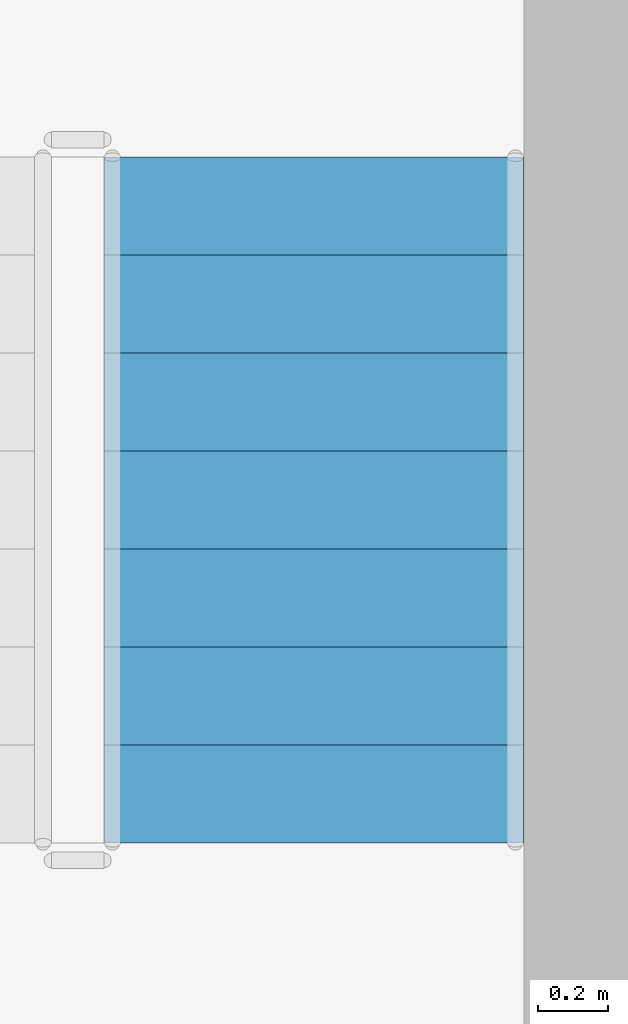
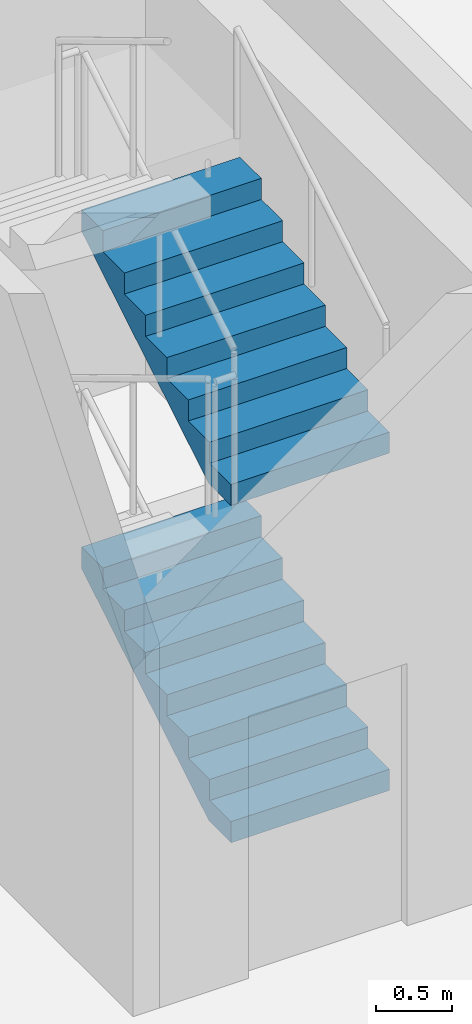
# One storey, part 66 of 101: 2 stair flights, 1 element without a shape of its own.
"""IFC4 building model written with IfcOpenShell, lengths in metres."""

from ifc_helpers import new_model, si_unit, direction, frame, origin, place, context, subcontext, project, spatial, triangles, material, type_object, element, aggregate, save


model = new_model("IFC4")

# Units and contexts
model_context = context("Model", 3, precision=1e-05, world=origin(), true_north=direction((0.0, 1.0)))
body_context = subcontext(model_context, "Body", "Model", "MODEL_VIEW")
ifc_project = project(units=[si_unit("LENGTHUNIT", "METRE"), si_unit("AREAUNIT", "SQUARE_METRE"), si_unit("VOLUMEUNIT", "CUBIC_METRE"), si_unit("PLANEANGLEUNIT", "RADIAN"), si_unit("MASSUNIT", "GRAM", prefix="KILO")], contexts=[model_context])

# Site, building, storey
site_placement = place(None, origin())
site = spatial("IfcSite", under=ifc_project, at=site_placement, CompositionType="ELEMENT")
building_placement = place(site_placement, origin())
building = spatial("IfcBuilding", under=site, at=building_placement, Name="Magnolia Steps Interchange", CompositionType="ELEMENT")
storey_placement = place(building_placement, frame((0.0, 0.0, -5.39990234375)))
storey = spatial("IfcBuildingStorey", under=building, at=storey_placement, Name="B1", CompositionType="ELEMENT", Elevation=-5.39990234375)

# Stair, stair flights
ifc_material_1 = material(Name="Concrete C40", Category="concrete")
stair_type = type_object("IfcStairType", Name="Exit stair 1200", PredefinedType="HALF_TURN_STAIR", material=ifc_material_1)
stair_placement = place(storey_placement, origin())
stair = element("IfcStair", 1, at=stair_placement, inside=storey, type_object=stair_type, Name="B1 Stair 22", PredefinedType="HALF_TURN_STAIR")
ifc_material_2 = material(Name="Concrete C40", Category="concrete")
stair_flight_type = type_object("IfcStairFlightType", Name="Exit stair flight", PredefinedType="STRAIGHT", material=ifc_material_2)
stair_flight_1_placement = place(storey_placement, frame((138.5, 38.699951171875, 0.0), z_axis=(0.0, 0.0, 1.0), x_axis=(0.0, 1.0, 0.0)))
stair_flight_1 = element("IfcStairFlight", 2, at=stair_flight_1_placement, type_object=stair_flight_type, Name="Stair 22 flight 1", NumberOfRisers=8, NumberOfTreads=7, PredefinedType="STRAIGHT", RiserHeight=0.16875, TreadLength=0.28, context=body_context, shape_type="Tessellation", body=[
    triangles([(0.0, -0.5999755859375, 0.0), (0.29052734375, -0.5999755859375, 0.0), (1.9599609375, -0.5999755859375, 1.00634765625), (1.9599609375, -0.5999755859375, 1.18115234375), (1.679931640625, -0.5999755859375, 1.18115234375), (1.679931640625, -0.5999755859375, 1.012451171875), (1.39990234375, -0.5999755859375, 1.012451171875), (1.39990234375, -0.5999755859375, 0.84375), (1.1201171875, -0.5999755859375, 0.84375), (1.1201171875, -0.5999755859375, 0.675048828125), (0.840087890625, -0.5999755859375, 0.675048828125), (0.840087890625, -0.5999755859375, 0.50634765625), (0.56005859375, -0.5999755859375, 0.50634765625), (0.56005859375, -0.5999755859375, 0.33740234375), (0.280029296875, -0.5999755859375, 0.33740234375), (0.280029296875, -0.5999755859375, 0.168701171875), (0.0, -0.5999755859375, 0.168701171875), (0.0, 0.5999755859375, 0.0), (0.29052734375, 0.5999755859375, 0.0), (1.9599609375, 0.5999755859375, 1.00634765625), (1.9599609375, 0.5999755859375, 1.18115234375), (1.679931640625, 0.5999755859375, 1.18115234375), (1.679931640625, 0.5999755859375, 1.012451171875), (1.39990234375, 0.5999755859375, 1.012451171875), (1.39990234375, 0.5999755859375, 0.84375), (1.1201171875, 0.5999755859375, 0.84375), (1.1201171875, 0.5999755859375, 0.675048828125), (0.840087890625, 0.5999755859375, 0.675048828125), (0.840087890625, 0.5999755859375, 0.50634765625), (0.56005859375, 0.5999755859375, 0.50634765625), (0.56005859375, 0.5999755859375, 0.33740234375), (0.280029296875, 0.5999755859375, 0.33740234375), (0.280029296875, 0.5999755859375, 0.168701171875), (0.0, 0.5999755859375, 0.168701171875), (0.0, 0.0, 0.0), (0.0, 0.0, 0.04217529296875), (0.0, 0.0, 0.0843505859375), (0.0, 0.0, 0.12652587890625), (0.0, 0.0, 0.168701171875), (0.0, -0.05, 0.0), (0.0, -0.05, 0.168701171875), (0.0, 0.05, 0.0), (0.0, 0.05, 0.168701171875), (0.046671549479166664, 0.0, 0.168701171875), (0.09334309895833333, 0.0, 0.168701171875), (0.1400146484375, 0.0, 0.168701171875), (0.18668619791666666, 0.0, 0.168701171875), (0.23335774739583334, 0.0, 0.168701171875), (0.280029296875, 0.0, 0.168701171875), (0.280029296875, -0.05, 0.168701171875), (0.280029296875, 0.05, 0.168701171875), (0.280029296875, 0.0, 0.21087646484375), (0.280029296875, 0.0, 0.2530517578125), (0.280029296875, 0.0, 0.29522705078125), (0.280029296875, 0.0, 0.33740234375), (0.280029296875, -0.05, 0.33740234375), (0.280029296875, 0.05, 0.33740234375), (0.3267008463541667, 0.0, 0.33740234375), (0.3733723958333333, 0.0, 0.33740234375), (0.4200439453125, 0.0, 0.33740234375), (0.46671549479166663, 0.0, 0.33740234375), (0.5133870442708334, 0.0, 0.33740234375), (0.56005859375, 0.0, 0.33740234375), (0.56005859375, -0.05, 0.33740234375), (0.56005859375, 0.05, 0.33740234375), (0.56005859375, 0.0, 0.379638671875), (0.56005859375, 0.0, 0.421875), (0.56005859375, 0.0, 0.464111328125), (0.56005859375, 0.0, 0.50634765625), (0.56005859375, -0.05, 0.50634765625), (0.56005859375, 0.05, 0.50634765625), (0.6067301432291666, 0.0, 0.50634765625), (0.6534016927083334, 0.0, 0.50634765625), (0.7000732421875, 0.0, 0.50634765625), (0.7467447916666666, 0.0, 0.50634765625), (0.7934163411458334, 0.0, 0.50634765625), (0.840087890625, 0.0, 0.50634765625), (0.840087890625, -0.05, 0.50634765625), (0.840087890625, 0.05, 0.50634765625), (0.840087890625, 0.0, 0.54852294921875), (0.840087890625, 0.0, 0.5906982421875), (0.840087890625, 0.0, 0.63287353515625), (0.840087890625, 0.0, 0.675048828125), (0.840087890625, -0.05, 0.675048828125), (0.840087890625, 0.05, 0.675048828125), (0.8867594401041666, 0.0, 0.675048828125), (0.9334309895833334, 0.0, 0.675048828125), (0.9801025390625, 0.0, 0.675048828125), (1.0267740885416667, 0.0, 0.675048828125), (1.0734456380208333, 0.0, 0.675048828125), (1.1201171875, 0.0, 0.675048828125), (1.1201171875, -0.05, 0.675048828125), (1.1201171875, 0.05, 0.675048828125), (1.1201171875, 0.0, 0.71722412109375), (1.1201171875, 0.0, 0.7593994140625), (1.1201171875, 0.0, 0.80157470703125), (1.1201171875, 0.0, 0.84375), (1.1201171875, -0.05, 0.84375), (1.1201171875, 0.05, 0.84375), (1.1900634765625, 0.0, 0.84375), (1.260009765625, 0.0, 0.84375), (1.3299560546875, 0.0, 0.84375), (1.39990234375, 0.0, 0.84375), (1.39990234375, -0.05, 0.84375), (1.39990234375, 0.05, 0.84375), (1.39990234375, 0.0, 0.88592529296875), (1.39990234375, 0.0, 0.9281005859375), (1.39990234375, 0.0, 0.97027587890625), (1.39990234375, 0.0, 1.012451171875), (1.39990234375, -0.05, 1.012451171875), (1.39990234375, 0.05, 1.012451171875), (1.4465738932291667, 0.0, 1.012451171875), (1.4932454427083333, 0.0, 1.012451171875), (1.5399169921875, 0.0, 1.012451171875), (1.5865885416666667, 0.0, 1.012451171875), (1.6332600911458333, 0.0, 1.012451171875), (1.679931640625, 0.0, 1.012451171875), (1.679931640625, -0.05, 1.012451171875), (1.679931640625, 0.05, 1.012451171875), (1.679931640625, 0.0, 1.05462646484375), (1.679931640625, 0.0, 1.0968017578125), (1.679931640625, 0.0, 1.13897705078125), (1.679931640625, 0.0, 1.18115234375), (1.679931640625, -0.05, 1.18115234375), (1.679931640625, 0.05, 1.18115234375), (1.7266031901041667, 0.0, 1.18115234375), (1.7732747395833333, 0.0, 1.18115234375), (1.8199462890625, 0.0, 1.18115234375), (1.8666178385416667, 0.0, 1.18115234375), (1.9132893880208333, 0.0, 1.18115234375), (1.9599609375, 0.0, 1.18115234375), (1.9599609375, -0.05, 1.18115234375), (1.9599609375, 0.05, 1.18115234375), (1.9599609375, 0.0, 1.137451171875), (1.9599609375, 0.0, 1.09375), (1.9599609375, 0.0, 1.050048828125), (1.9599609375, 0.0, 1.00634765625), (1.9599609375, -0.05, 1.00634765625), (1.9599609375, 0.05, 1.00634765625), (1.9003383091517858, 0.0, 0.9704066685267857), (1.8407156808035714, 0.0, 0.9344656808035714), (1.7810930524553572, 0.0, 0.8985246930803571), (1.7214704241071428, 0.0, 0.8625837053571428), (1.6618477957589286, 0.0, 0.8266427176339286), (1.6022251674107144, 0.0, 0.7907017299107143), (1.5426025390625, 0.0, 0.7547607421875), (1.4829799107142856, 0.0, 0.7188197544642857), (1.4233572823660714, 0.0, 0.6828787667410714), (1.3637346540178572, 0.0, 0.6469377790178572), (1.3041120256696428, 0.0, 0.6109967912946428), (1.2444893973214286, 0.0, 0.5750558035714286), (1.1848667689732144, 0.0, 0.5391148158482143), (1.125244140625, 0.0, 0.503173828125), (1.0656215122767856, 0.0, 0.4672328404017857), (1.0059988839285714, 0.0, 0.4312918526785714), (0.9463762555803572, 0.0, 0.3953508649553571), (0.8867536272321428, 0.0, 0.3594098772321429), (0.8271309988839286, 0.0, 0.3234688895089286), (0.7675083705357142, 0.0, 0.2875279017857143), (0.7078857421875, 0.0, 0.2515869140625), (0.6482631138392858, 0.0, 0.2156459263392857), (0.5886404854910714, 0.0, 0.1797049386160714), (0.5290178571428572, 0.0, 0.1437639508928571), (0.4693952287946428, 0.0, 0.1078229631696429), (0.4097726004464286, 0.0, 0.0718819754464286), (0.3501499720982142, 0.0, 0.0359409877232143), (0.29052734375, 0.0, 0.0), (0.29052734375, -0.05, 0.0), (0.29052734375, 0.05, 0.0), (0.24210611979166666, 0.0, 0.0), (0.19368489583333331, 0.0, 0.0), (0.145263671875, 0.0, 0.0), (0.09684244791666666, 0.0, 0.0), (0.04842122395833334, 0.0, 0.0)], [[1, 2, 3], [3, 4, 5], [3, 5, 6], [3, 6, 7], [3, 7, 8], [8, 9, 10], [3, 8, 10], [10, 11, 12], [3, 10, 12], [12, 13, 14], [3, 12, 14], [14, 15, 16], [3, 14, 16], [1, 3, 16], [16, 17, 1], [18, 20, 19], [20, 22, 21], [20, 23, 22], [20, 24, 23], [20, 25, 24], [25, 27, 26], [20, 27, 25], [27, 29, 28], [20, 29, 27], [29, 31, 30], [20, 31, 29], [31, 33, 32], [20, 33, 31], [18, 33, 20], [33, 18, 34], [1, 17, 41], [1, 41, 40], [40, 36, 35], [40, 37, 36], [40, 41, 37], [41, 38, 37], [41, 39, 38], [18, 43, 34], [18, 42, 43], [42, 35, 36], [42, 36, 37], [42, 37, 43], [43, 37, 38], [43, 38, 39], [17, 16, 50], [17, 50, 41], [41, 44, 39], [41, 45, 44], [41, 46, 45], [41, 50, 46], [50, 47, 46], [50, 48, 47], [50, 49, 48], [34, 51, 33], [34, 43, 51], [43, 39, 44], [43, 44, 45], [43, 45, 46], [43, 46, 51], [51, 46, 47], [51, 47, 48], [51, 48, 49], [16, 15, 56], [16, 56, 50], [50, 52, 49], [50, 53, 52], [50, 56, 53], [56, 54, 53], [56, 55, 54], [33, 57, 32], [33, 51, 57], [51, 49, 52], [51, 52, 53], [51, 53, 57], [57, 53, 54], [57, 54, 55], [15, 14, 64], [15, 64, 56], [56, 58, 55], [56, 59, 58], [56, 60, 59], [56, 64, 60], [64, 61, 60], [64, 62, 61], [64, 63, 62], [32, 65, 31], [32, 57, 65], [57, 55, 58], [57, 58, 59], [57, 59, 60], [57, 60, 65], [65, 60, 61], [65, 61, 62], [65, 62, 63], [14, 13, 70], [14, 70, 64], [64, 66, 63], [64, 67, 66], [64, 70, 67], [70, 68, 67], [70, 69, 68], [31, 71, 30], [31, 65, 71], [65, 63, 66], [65, 66, 67], [65, 67, 71], [71, 67, 68], [71, 68, 69], [13, 12, 78], [13, 78, 70], [70, 72, 69], [70, 73, 72], [70, 74, 73], [70, 78, 74], [78, 75, 74], [78, 76, 75], [78, 77, 76], [30, 79, 29], [30, 71, 79], [71, 69, 72], [71, 72, 73], [71, 73, 74], [71, 74, 79], [79, 74, 75], [79, 75, 76], [79, 76, 77], [12, 11, 84], [12, 84, 78], [78, 80, 77], [78, 81, 80], [78, 84, 81], [84, 82, 81], [84, 83, 82], [29, 85, 28], [29, 79, 85], [79, 77, 80], [79, 80, 81], [79, 81, 85], [85, 81, 82], [85, 82, 83], [11, 10, 92], [11, 92, 84], [84, 86, 83], [84, 87, 86], [84, 88, 87], [84, 92, 88], [92, 89, 88], [92, 90, 89], [92, 91, 90], [28, 93, 27], [28, 85, 93], [85, 83, 86], [85, 86, 87], [85, 87, 88], [85, 88, 93], [93, 88, 89], [93, 89, 90], [93, 90, 91], [10, 9, 98], [10, 98, 92], [92, 94, 91], [92, 95, 94], [92, 98, 95], [98, 96, 95], [98, 97, 96], [27, 99, 26], [27, 93, 99], [93, 91, 94], [93, 94, 95], [93, 95, 99], [99, 95, 96], [99, 96, 97], [9, 8, 104], [9, 104, 98], [98, 100, 97], [98, 101, 100], [98, 104, 101], [104, 102, 101], [104, 103, 102], [26, 105, 25], [26, 99, 105], [99, 97, 100], [99, 100, 101], [99, 101, 105], [105, 101, 102], [105, 102, 103], [8, 7, 110], [8, 110, 104], [104, 106, 103], [104, 107, 106], [104, 110, 107], [110, 108, 107], [110, 109, 108], [25, 111, 24], [25, 105, 111], [105, 103, 106], [105, 106, 107], [105, 107, 111], [111, 107, 108], [111, 108, 109], [7, 6, 118], [7, 118, 110], [110, 112, 109], [110, 113, 112], [110, 114, 113], [110, 118, 114], [118, 115, 114], [118, 116, 115], [118, 117, 116], [24, 119, 23], [24, 111, 119], [111, 109, 112], [111, 112, 113], [111, 113, 114], [111, 114, 119], [119, 114, 115], [119, 115, 116], [119, 116, 117], [6, 5, 124], [6, 124, 118], [118, 120, 117], [118, 121, 120], [118, 124, 121], [124, 122, 121], [124, 123, 122], [23, 125, 22], [23, 119, 125], [119, 117, 120], [119, 120, 121], [119, 121, 125], [125, 121, 122], [125, 122, 123], [5, 4, 132], [5, 132, 124], [124, 126, 123], [124, 127, 126], [124, 128, 127], [124, 132, 128], [132, 129, 128], [132, 130, 129], [132, 131, 130], [22, 133, 21], [22, 125, 133], [125, 123, 126], [125, 126, 127], [125, 127, 128], [125, 128, 133], [133, 128, 129], [133, 129, 130], [133, 130, 131], [4, 3, 138], [4, 138, 132], [132, 134, 131], [132, 135, 134], [132, 138, 135], [138, 136, 135], [138, 137, 136], [21, 139, 20], [21, 133, 139], [133, 131, 134], [133, 134, 135], [133, 135, 139], [139, 135, 136], [139, 136, 137], [3, 2, 168], [3, 168, 138], [138, 140, 137], [138, 141, 140], [138, 142, 141], [138, 143, 142], [138, 144, 143], [138, 145, 144], [138, 146, 145], [138, 147, 146], [138, 148, 147], [138, 149, 148], [138, 150, 149], [138, 151, 150], [138, 152, 151], [138, 153, 152], [138, 168, 153], [168, 154, 153], [168, 155, 154], [168, 156, 155], [168, 157, 156], [168, 158, 157], [168, 159, 158], [168, 160, 159], [168, 161, 160], [168, 162, 161], [168, 163, 162], [168, 164, 163], [168, 165, 164], [168, 166, 165], [168, 167, 166], [20, 169, 19], [20, 139, 169], [139, 137, 140], [139, 140, 141], [139, 141, 142], [139, 142, 143], [139, 143, 144], [139, 144, 145], [139, 145, 146], [139, 146, 147], [139, 147, 148], [139, 148, 149], [139, 149, 150], [139, 150, 151], [139, 151, 152], [139, 152, 153], [139, 153, 169], [169, 153, 154], [169, 154, 155], [169, 155, 156], [169, 156, 157], [169, 157, 158], [169, 158, 159], [169, 159, 160], [169, 160, 161], [169, 161, 162], [169, 162, 163], [169, 163, 164], [169, 164, 165], [169, 165, 166], [169, 166, 167], [2, 1, 40], [2, 40, 168], [168, 170, 167], [168, 171, 170], [168, 172, 171], [168, 40, 172], [40, 173, 172], [40, 174, 173], [40, 35, 174], [19, 42, 18], [19, 169, 42], [169, 167, 170], [169, 170, 171], [169, 171, 172], [169, 172, 42], [42, 172, 173], [42, 173, 174], [42, 174, 35]], closed=True),
])
stair_flight_2_placement = place(storey_placement, frame((138.5, 38.699951171875, 2.699951171875), z_axis=(0.0, 0.0, 1.0), x_axis=(0.0, 1.0, 0.0)))
stair_flight_2 = element("IfcStairFlight", 3, at=stair_flight_2_placement, type_object=stair_flight_type, Name="Stair 22 flight 3", NumberOfRisers=8, NumberOfTreads=7, PredefinedType="STRAIGHT", RiserHeight=0.16875, TreadLength=0.28, context=body_context, shape_type="Tessellation", body=[
    triangles([(0.0, -0.5999755859375, 0.0), (0.29052734375, -0.5999755859375, 0.0), (1.9599609375, -0.5999755859375, 1.00634765625), (1.9599609375, -0.5999755859375, 1.18115234375), (1.679931640625, -0.5999755859375, 1.18115234375), (1.679931640625, -0.5999755859375, 1.012451171875), (1.39990234375, -0.5999755859375, 1.012451171875), (1.39990234375, -0.5999755859375, 0.84375), (1.1201171875, -0.5999755859375, 0.84375), (1.1201171875, -0.5999755859375, 0.675048828125), (0.840087890625, -0.5999755859375, 0.675048828125), (0.840087890625, -0.5999755859375, 0.50634765625), (0.56005859375, -0.5999755859375, 0.50634765625), (0.56005859375, -0.5999755859375, 0.33740234375), (0.280029296875, -0.5999755859375, 0.33740234375), (0.280029296875, -0.5999755859375, 0.168701171875), (0.0, -0.5999755859375, 0.168701171875), (0.0, 0.5999755859375, 0.0), (0.29052734375, 0.5999755859375, 0.0), (1.9599609375, 0.5999755859375, 1.00634765625), (1.9599609375, 0.5999755859375, 1.18115234375), (1.679931640625, 0.5999755859375, 1.18115234375), (1.679931640625, 0.5999755859375, 1.012451171875), (1.39990234375, 0.5999755859375, 1.012451171875), (1.39990234375, 0.5999755859375, 0.84375), (1.1201171875, 0.5999755859375, 0.84375), (1.1201171875, 0.5999755859375, 0.675048828125), (0.840087890625, 0.5999755859375, 0.675048828125), (0.840087890625, 0.5999755859375, 0.50634765625), (0.56005859375, 0.5999755859375, 0.50634765625), (0.56005859375, 0.5999755859375, 0.33740234375), (0.280029296875, 0.5999755859375, 0.33740234375), (0.280029296875, 0.5999755859375, 0.168701171875), (0.0, 0.5999755859375, 0.168701171875), (0.0, 0.0, 0.0), (0.0, 0.0, 0.04217529296875), (0.0, 0.0, 0.0843505859375), (0.0, 0.0, 0.12652587890625), (0.0, 0.0, 0.168701171875), (0.0, -0.05, 0.0), (0.0, -0.05, 0.168701171875), (0.0, 0.05, 0.0), (0.0, 0.05, 0.168701171875), (0.046671549479166664, 0.0, 0.168701171875), (0.09334309895833333, 0.0, 0.168701171875), (0.1400146484375, 0.0, 0.168701171875), (0.18668619791666666, 0.0, 0.168701171875), (0.23335774739583334, 0.0, 0.168701171875), (0.280029296875, 0.0, 0.168701171875), (0.280029296875, -0.05, 0.168701171875), (0.280029296875, 0.05, 0.168701171875), (0.280029296875, 0.0, 0.21087646484375), (0.280029296875, 0.0, 0.2530517578125), (0.280029296875, 0.0, 0.29522705078125), (0.280029296875, 0.0, 0.33740234375), (0.280029296875, -0.05, 0.33740234375), (0.280029296875, 0.05, 0.33740234375), (0.3267008463541667, 0.0, 0.33740234375), (0.3733723958333333, 0.0, 0.33740234375), (0.4200439453125, 0.0, 0.33740234375), (0.46671549479166663, 0.0, 0.33740234375), (0.5133870442708334, 0.0, 0.33740234375), (0.56005859375, 0.0, 0.33740234375), (0.56005859375, -0.05, 0.33740234375), (0.56005859375, 0.05, 0.33740234375), (0.56005859375, 0.0, 0.379638671875), (0.56005859375, 0.0, 0.421875), (0.56005859375, 0.0, 0.464111328125), (0.56005859375, 0.0, 0.50634765625), (0.56005859375, -0.05, 0.50634765625), (0.56005859375, 0.05, 0.50634765625), (0.6067301432291666, 0.0, 0.50634765625), (0.6534016927083334, 0.0, 0.50634765625), (0.7000732421875, 0.0, 0.50634765625), (0.7467447916666666, 0.0, 0.50634765625), (0.7934163411458334, 0.0, 0.50634765625), (0.840087890625, 0.0, 0.50634765625), (0.840087890625, -0.05, 0.50634765625), (0.840087890625, 0.05, 0.50634765625), (0.840087890625, 0.0, 0.54852294921875), (0.840087890625, 0.0, 0.5906982421875), (0.840087890625, 0.0, 0.63287353515625), (0.840087890625, 0.0, 0.675048828125), (0.840087890625, -0.05, 0.675048828125), (0.840087890625, 0.05, 0.675048828125), (0.8867594401041666, 0.0, 0.675048828125), (0.9334309895833334, 0.0, 0.675048828125), (0.9801025390625, 0.0, 0.675048828125), (1.0267740885416667, 0.0, 0.675048828125), (1.0734456380208333, 0.0, 0.675048828125), (1.1201171875, 0.0, 0.675048828125), (1.1201171875, -0.05, 0.675048828125), (1.1201171875, 0.05, 0.675048828125), (1.1201171875, 0.0, 0.71722412109375), (1.1201171875, 0.0, 0.7593994140625), (1.1201171875, 0.0, 0.80157470703125), (1.1201171875, 0.0, 0.84375), (1.1201171875, -0.05, 0.84375), (1.1201171875, 0.05, 0.84375), (1.1900634765625, 0.0, 0.84375), (1.260009765625, 0.0, 0.84375), (1.3299560546875, 0.0, 0.84375), (1.39990234375, 0.0, 0.84375), (1.39990234375, -0.05, 0.84375), (1.39990234375, 0.05, 0.84375), (1.39990234375, 0.0, 0.88592529296875), (1.39990234375, 0.0, 0.9281005859375), (1.39990234375, 0.0, 0.97027587890625), (1.39990234375, 0.0, 1.012451171875), (1.39990234375, -0.05, 1.012451171875), (1.39990234375, 0.05, 1.012451171875), (1.4465738932291667, 0.0, 1.012451171875), (1.4932454427083333, 0.0, 1.012451171875), (1.5399169921875, 0.0, 1.012451171875), (1.5865885416666667, 0.0, 1.012451171875), (1.6332600911458333, 0.0, 1.012451171875), (1.679931640625, 0.0, 1.012451171875), (1.679931640625, -0.05, 1.012451171875), (1.679931640625, 0.05, 1.012451171875), (1.679931640625, 0.0, 1.05462646484375), (1.679931640625, 0.0, 1.0968017578125), (1.679931640625, 0.0, 1.13897705078125), (1.679931640625, 0.0, 1.18115234375), (1.679931640625, -0.05, 1.18115234375), (1.679931640625, 0.05, 1.18115234375), (1.7266031901041667, 0.0, 1.18115234375), (1.7732747395833333, 0.0, 1.18115234375), (1.8199462890625, 0.0, 1.18115234375), (1.8666178385416667, 0.0, 1.18115234375), (1.9132893880208333, 0.0, 1.18115234375), (1.9599609375, 0.0, 1.18115234375), (1.9599609375, -0.05, 1.18115234375), (1.9599609375, 0.05, 1.18115234375), (1.9599609375, 0.0, 1.137451171875), (1.9599609375, 0.0, 1.09375), (1.9599609375, 0.0, 1.050048828125), (1.9599609375, 0.0, 1.00634765625), (1.9599609375, -0.05, 1.00634765625), (1.9599609375, 0.05, 1.00634765625), (1.9003383091517858, 0.0, 0.9704066685267857), (1.8407156808035714, 0.0, 0.9344656808035714), (1.7810930524553572, 0.0, 0.8985246930803571), (1.7214704241071428, 0.0, 0.8625837053571428), (1.6618477957589286, 0.0, 0.8266427176339286), (1.6022251674107144, 0.0, 0.7907017299107143), (1.5426025390625, 0.0, 0.7547607421875), (1.4829799107142856, 0.0, 0.7188197544642857), (1.4233572823660714, 0.0, 0.6828787667410714), (1.3637346540178572, 0.0, 0.6469377790178572), (1.3041120256696428, 0.0, 0.6109967912946428), (1.2444893973214286, 0.0, 0.5750558035714286), (1.1848667689732144, 0.0, 0.5391148158482143), (1.125244140625, 0.0, 0.503173828125), (1.0656215122767856, 0.0, 0.4672328404017857), (1.0059988839285714, 0.0, 0.4312918526785714), (0.9463762555803572, 0.0, 0.3953508649553571), (0.8867536272321428, 0.0, 0.3594098772321429), (0.8271309988839286, 0.0, 0.3234688895089286), (0.7675083705357142, 0.0, 0.2875279017857143), (0.7078857421875, 0.0, 0.2515869140625), (0.6482631138392858, 0.0, 0.2156459263392857), (0.5886404854910714, 0.0, 0.1797049386160714), (0.5290178571428572, 0.0, 0.1437639508928571), (0.4693952287946428, 0.0, 0.1078229631696429), (0.4097726004464286, 0.0, 0.0718819754464286), (0.3501499720982142, 0.0, 0.0359409877232143), (0.29052734375, 0.0, 0.0), (0.29052734375, -0.05, 0.0), (0.29052734375, 0.05, 0.0), (0.24210611979166666, 0.0, 0.0), (0.19368489583333331, 0.0, 0.0), (0.145263671875, 0.0, 0.0), (0.09684244791666666, 0.0, 0.0), (0.04842122395833334, 0.0, 0.0)], [[1, 2, 3], [3, 4, 5], [3, 5, 6], [3, 6, 7], [3, 7, 8], [8, 9, 10], [3, 8, 10], [10, 11, 12], [3, 10, 12], [12, 13, 14], [3, 12, 14], [14, 15, 16], [3, 14, 16], [1, 3, 16], [16, 17, 1], [18, 20, 19], [20, 22, 21], [20, 23, 22], [20, 24, 23], [20, 25, 24], [25, 27, 26], [20, 27, 25], [27, 29, 28], [20, 29, 27], [29, 31, 30], [20, 31, 29], [31, 33, 32], [20, 33, 31], [18, 33, 20], [33, 18, 34], [1, 17, 41], [1, 41, 40], [40, 36, 35], [40, 37, 36], [40, 41, 37], [41, 38, 37], [41, 39, 38], [18, 43, 34], [18, 42, 43], [42, 35, 36], [42, 36, 37], [42, 37, 43], [43, 37, 38], [43, 38, 39], [17, 16, 50], [17, 50, 41], [41, 44, 39], [41, 45, 44], [41, 46, 45], [41, 50, 46], [50, 47, 46], [50, 48, 47], [50, 49, 48], [34, 51, 33], [34, 43, 51], [43, 39, 44], [43, 44, 45], [43, 45, 46], [43, 46, 51], [51, 46, 47], [51, 47, 48], [51, 48, 49], [16, 15, 56], [16, 56, 50], [50, 52, 49], [50, 53, 52], [50, 56, 53], [56, 54, 53], [56, 55, 54], [33, 57, 32], [33, 51, 57], [51, 49, 52], [51, 52, 53], [51, 53, 57], [57, 53, 54], [57, 54, 55], [15, 14, 64], [15, 64, 56], [56, 58, 55], [56, 59, 58], [56, 60, 59], [56, 64, 60], [64, 61, 60], [64, 62, 61], [64, 63, 62], [32, 65, 31], [32, 57, 65], [57, 55, 58], [57, 58, 59], [57, 59, 60], [57, 60, 65], [65, 60, 61], [65, 61, 62], [65, 62, 63], [14, 13, 70], [14, 70, 64], [64, 66, 63], [64, 67, 66], [64, 70, 67], [70, 68, 67], [70, 69, 68], [31, 71, 30], [31, 65, 71], [65, 63, 66], [65, 66, 67], [65, 67, 71], [71, 67, 68], [71, 68, 69], [13, 12, 78], [13, 78, 70], [70, 72, 69], [70, 73, 72], [70, 74, 73], [70, 78, 74], [78, 75, 74], [78, 76, 75], [78, 77, 76], [30, 79, 29], [30, 71, 79], [71, 69, 72], [71, 72, 73], [71, 73, 74], [71, 74, 79], [79, 74, 75], [79, 75, 76], [79, 76, 77], [12, 11, 84], [12, 84, 78], [78, 80, 77], [78, 81, 80], [78, 84, 81], [84, 82, 81], [84, 83, 82], [29, 85, 28], [29, 79, 85], [79, 77, 80], [79, 80, 81], [79, 81, 85], [85, 81, 82], [85, 82, 83], [11, 10, 92], [11, 92, 84], [84, 86, 83], [84, 87, 86], [84, 88, 87], [84, 92, 88], [92, 89, 88], [92, 90, 89], [92, 91, 90], [28, 93, 27], [28, 85, 93], [85, 83, 86], [85, 86, 87], [85, 87, 88], [85, 88, 93], [93, 88, 89], [93, 89, 90], [93, 90, 91], [10, 9, 98], [10, 98, 92], [92, 94, 91], [92, 95, 94], [92, 98, 95], [98, 96, 95], [98, 97, 96], [27, 99, 26], [27, 93, 99], [93, 91, 94], [93, 94, 95], [93, 95, 99], [99, 95, 96], [99, 96, 97], [9, 8, 104], [9, 104, 98], [98, 100, 97], [98, 101, 100], [98, 104, 101], [104, 102, 101], [104, 103, 102], [26, 105, 25], [26, 99, 105], [99, 97, 100], [99, 100, 101], [99, 101, 105], [105, 101, 102], [105, 102, 103], [8, 7, 110], [8, 110, 104], [104, 106, 103], [104, 107, 106], [104, 110, 107], [110, 108, 107], [110, 109, 108], [25, 111, 24], [25, 105, 111], [105, 103, 106], [105, 106, 107], [105, 107, 111], [111, 107, 108], [111, 108, 109], [7, 6, 118], [7, 118, 110], [110, 112, 109], [110, 113, 112], [110, 114, 113], [110, 118, 114], [118, 115, 114], [118, 116, 115], [118, 117, 116], [24, 119, 23], [24, 111, 119], [111, 109, 112], [111, 112, 113], [111, 113, 114], [111, 114, 119], [119, 114, 115], [119, 115, 116], [119, 116, 117], [6, 5, 124], [6, 124, 118], [118, 120, 117], [118, 121, 120], [118, 124, 121], [124, 122, 121], [124, 123, 122], [23, 125, 22], [23, 119, 125], [119, 117, 120], [119, 120, 121], [119, 121, 125], [125, 121, 122], [125, 122, 123], [5, 4, 132], [5, 132, 124], [124, 126, 123], [124, 127, 126], [124, 128, 127], [124, 132, 128], [132, 129, 128], [132, 130, 129], [132, 131, 130], [22, 133, 21], [22, 125, 133], [125, 123, 126], [125, 126, 127], [125, 127, 128], [125, 128, 133], [133, 128, 129], [133, 129, 130], [133, 130, 131], [4, 3, 138], [4, 138, 132], [132, 134, 131], [132, 135, 134], [132, 138, 135], [138, 136, 135], [138, 137, 136], [21, 139, 20], [21, 133, 139], [133, 131, 134], [133, 134, 135], [133, 135, 139], [139, 135, 136], [139, 136, 137], [3, 2, 168], [3, 168, 138], [138, 140, 137], [138, 141, 140], [138, 142, 141], [138, 143, 142], [138, 144, 143], [138, 145, 144], [138, 146, 145], [138, 147, 146], [138, 148, 147], [138, 149, 148], [138, 150, 149], [138, 151, 150], [138, 152, 151], [138, 153, 152], [138, 168, 153], [168, 154, 153], [168, 155, 154], [168, 156, 155], [168, 157, 156], [168, 158, 157], [168, 159, 158], [168, 160, 159], [168, 161, 160], [168, 162, 161], [168, 163, 162], [168, 164, 163], [168, 165, 164], [168, 166, 165], [168, 167, 166], [20, 169, 19], [20, 139, 169], [139, 137, 140], [139, 140, 141], [139, 141, 142], [139, 142, 143], [139, 143, 144], [139, 144, 145], [139, 145, 146], [139, 146, 147], [139, 147, 148], [139, 148, 149], [139, 149, 150], [139, 150, 151], [139, 151, 152], [139, 152, 153], [139, 153, 169], [169, 153, 154], [169, 154, 155], [169, 155, 156], [169, 156, 157], [169, 157, 158], [169, 158, 159], [169, 159, 160], [169, 160, 161], [169, 161, 162], [169, 162, 163], [169, 163, 164], [169, 164, 165], [169, 165, 166], [169, 166, 167], [2, 1, 40], [2, 40, 168], [168, 170, 167], [168, 171, 170], [168, 172, 171], [168, 40, 172], [40, 173, 172], [40, 174, 173], [40, 35, 174], [19, 42, 18], [19, 169, 42], [169, 167, 170], [169, 170, 171], [169, 171, 172], [169, 172, 42], [42, 172, 173], [42, 173, 174], [42, 174, 35]], closed=True),
])
aggregate(stair, [stair_flight_1, stair_flight_2])

save(model, "model.ifc")
